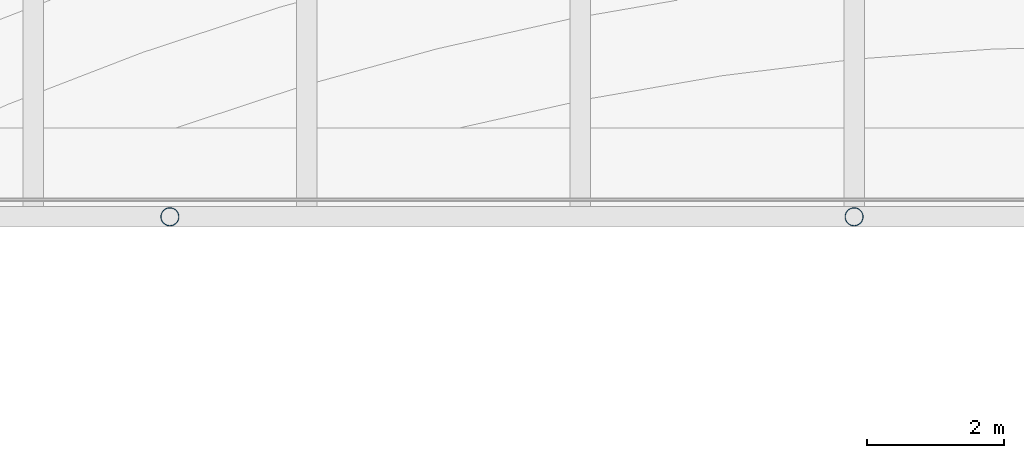
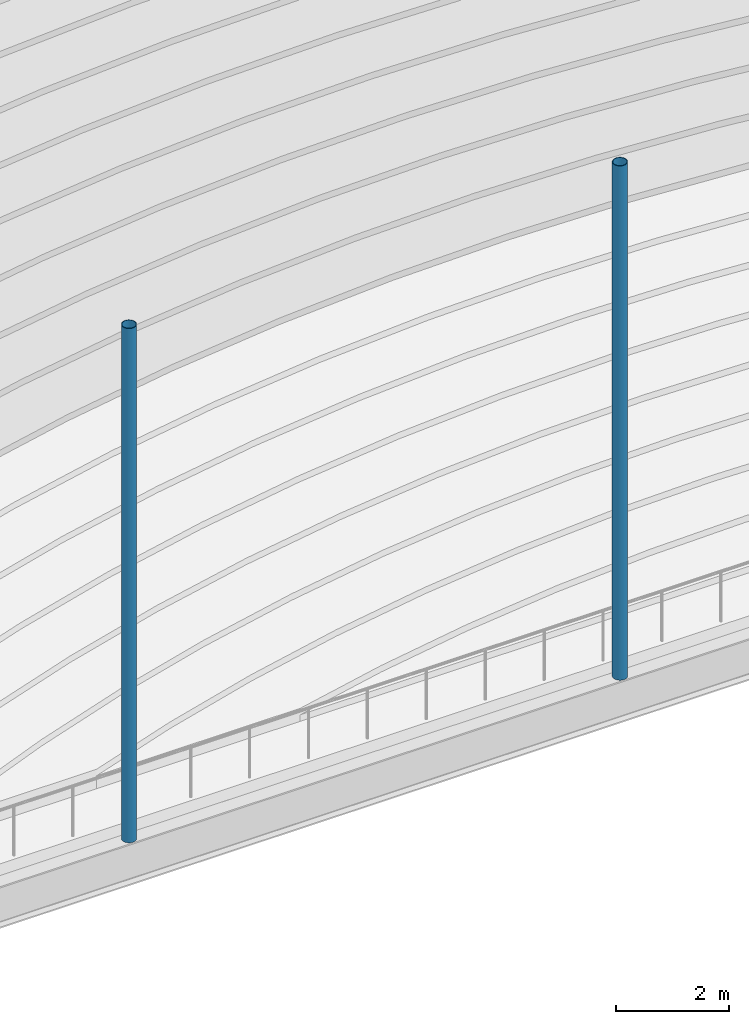
# One storey, part 21 of 72: 2 members.
"""IFC4 building model written with IfcOpenShell, lengths in metres."""

import ifcopenshell
import ifcopenshell.guid

model = None  # the IFC model being written
_history = None  # IfcOwnerHistory: only IFC2X3 demands one
_inside = {}  # id of a spatial element -> (the spatial element, [elements in it])
_under = {}  # id of a project, library or spatial element -> (it, [spatial elements below it])
_declared = {}  # id of a project -> (the project, [libraries it declares])
_typed = {}  # id of a type object -> (the type object, [elements of that type])
_made_of = {}  # id of a material, layer set ... -> (it, [elements and type objects made of it])


def new_model(schema):
    """Start an empty IFC model of exactly this schema.

    Asked for "IFC4X3", IfcOpenShell would pick the latest addendum, in which some entities
    have other attributes; the version numbers below select the first issue.
    IFC2X3 requires an IfcOwnerHistory on every rooted entity: one is made here for all.
    """
    global model, _history
    if schema == "IFC4X3":
        model = ifcopenshell.file(schema_version=(4, 3, 0, 0))
    else:
        model = ifcopenshell.file(schema=schema)
    _inside.clear()
    _under.clear()
    _declared.clear()
    _typed.clear()
    _made_of.clear()
    _history = None
    if model.schema == "IFC2X3":
        org = make("IfcOrganization", Name="unknown")
        user = make(
            "IfcPersonAndOrganization",
            ThePerson=make("IfcPerson", FamilyName="unknown"),
            TheOrganization=org,
        )
        app = make(
            "IfcApplication",
            ApplicationDeveloper=org,
            Version="unknown",
            ApplicationFullName="unknown",
            ApplicationIdentifier="unknown",
        )
        _history = make(
            "IfcOwnerHistory",
            OwningUser=user,
            OwningApplication=app,
            ChangeAction="ADDED",
            CreationDate=0,
        )
    return model


def make(cls, **values):
    """One entity of the class cls with the attributes given. An attribute that is None is left unset."""
    return model.create_entity(
        cls, **{name: value for name, value in values.items() if value is not None}
    )


def rooted(cls, **values):
    """An entity with a GlobalId (a new one), such as an element, a storey or a relation."""
    return make(cls, GlobalId=ifcopenshell.guid.new(), OwnerHistory=_history, **values)


def si_unit(unit_type, name, prefix=None):
    """IfcSIUnit, for example si_unit("LENGTHUNIT", "METRE", prefix="MILLI")."""
    return make("IfcSIUnit", UnitType=unit_type, Prefix=prefix, Name=name)


def assignment(units):
    """IfcUnitAssignment: the units of a project."""
    return None if units is None else make("IfcUnitAssignment", Units=units)


def point(xyz):
    """IfcCartesianPoint."""
    return None if xyz is None else make("IfcCartesianPoint", Coordinates=xyz)


def direction(xyz):
    """IfcDirection."""
    return None if xyz is None else make("IfcDirection", DirectionRatios=xyz)


def frame(location, z_axis=None, x_axis=None):
    """IfcAxis2Placement3D, a coordinate frame: its origin and axes. An axis left out is left unset."""
    return make(
        "IfcAxis2Placement3D",
        Location=point(location),
        Axis=direction(z_axis),
        RefDirection=direction(x_axis),
    )


def frame_2d(location, x_axis=None):
    """IfcAxis2Placement2D, a coordinate frame in the plane: its origin and x axis."""
    return make(
        "IfcAxis2Placement2D", Location=point(location), RefDirection=direction(x_axis)
    )


def origin():
    """The frame at (0, 0, 0) with its axes left unset."""
    return frame((0.0, 0.0, 0.0))


def origin_2d():
    """The frame at (0, 0) in the plane with its x axis left unset."""
    return frame_2d((0.0, 0.0))


def place(relative_to, where):
    """IfcLocalPlacement: puts the frame where relative to a parent placement (None: the world)."""
    return make(
        "IfcLocalPlacement", PlacementRelTo=relative_to, RelativePlacement=where
    )


def context(
    kind, dimensions, precision=None, world=None, true_north=None, identifier=None
):
    """IfcGeometricRepresentationContext, for example the 3D "Model" context."""
    return make(
        "IfcGeometricRepresentationContext",
        ContextIdentifier=identifier,
        ContextType=kind,
        CoordinateSpaceDimension=dimensions,
        Precision=precision,
        WorldCoordinateSystem=world,
        TrueNorth=true_north,
    )


def subcontext(parent, identifier, kind, view, scale=None):
    """IfcGeometricRepresentationSubContext, for example "Body" below "Model"."""
    return make(
        "IfcGeometricRepresentationSubContext",
        ContextIdentifier=identifier,
        ContextType=kind,
        ParentContext=parent,
        TargetScale=scale,
        TargetView=view,
    )


def project(units=None, contexts=None):
    """IfcProject with its units and contexts."""
    return rooted(
        "IfcProject",
        Name="project",
        RepresentationContexts=contexts,
        UnitsInContext=assignment(units),
    )


def spatial(cls, under=None, at=None, **own):
    """A site, building, storey or space (cls), placed at a placement, below another one or the project."""
    s = rooted(cls, ObjectPlacement=at, **own)
    if under is not None:
        _under.setdefault(under.id(), (under, []))[1].append(s)
    return s


def profile(cls, at=None, kind="AREA", **sizes):
    """A parametric profile (cls). Its sizes go by their IFC names, for example OverallWidth=200.0."""
    return make(cls, ProfileType=kind, Position=at, **sizes)


def hollow_circle(**sizes):
    """IfcCircleHollowProfileDef."""
    return profile("IfcCircleHollowProfileDef", **sizes)


def extrude(swept, where, along, depth):
    """IfcExtrudedAreaSolid: the profile swept, set in the frame where, extruded along a direction by depth."""
    return make(
        "IfcExtrudedAreaSolid",
        SweptArea=swept,
        Position=where,
        ExtrudedDirection=direction(along),
        Depth=depth,
    )


def shape(context_of_items, identifier, shape_type, items):
    """IfcShapeRepresentation: the items that make up one representation, for example the "Body"."""
    return make(
        "IfcShapeRepresentation",
        ContextOfItems=context_of_items,
        RepresentationIdentifier=identifier,
        RepresentationType=shape_type,
        Items=items,
    )


def material(Name=None, Category=None):
    """IfcMaterial."""
    return make("IfcMaterial", Name=Name, Category=Category)


def material_profile(
    of_material, cross_section, Name=None, Category=None, Priority=None
):
    """IfcMaterialProfile: a cross section and its material."""
    return make(
        "IfcMaterialProfile",
        Name=Name,
        Material=of_material,
        Profile=cross_section,
        Priority=Priority,
        Category=Category,
    )


def profile_set(profiles, Name=None, composite=None):
    """IfcMaterialProfileSet."""
    return make(
        "IfcMaterialProfileSet",
        Name=Name,
        MaterialProfiles=profiles,
        CompositeProfile=composite,
    )


def made_of(thing, what):
    """Note that an element or type object is made of a material, layer set ...; save() writes the relation."""
    if what is not None:
        _made_of.setdefault(what.id(), (what, []))[1].append(thing)
    return thing


def type_object(cls, material=None, **own):
    """A type object (cls), such as IfcWallType, which elements share."""
    return made_of(rooted(cls, **own), material)


def element(
    cls,
    number,
    at=None,
    inside=None,
    cuts=None,
    type_object=None,
    material=None,
    context=None,
    identifier="Body",
    shape_type=None,
    held_by="IfcProductDefinitionShape",
    body=None,
    shapes=None,
    **own,
):
    """One element of the class cls, such as IfcWall. Its Tag is "e" and its number.

    at: its placement. inside: the storey or other place that contains it. cuts: it is an
    opening in that element (IfcRelVoidsElement). A single representation is given by context,
    identifier, shape_type and body (its items); several are given by shapes. held_by: the class
    of the entity that holds the representations. save() writes the other relations.
    """
    e = rooted(cls, Tag="e%d" % number, ObjectPlacement=at, **own)
    if body is not None:
        shapes = [shape(context, identifier, shape_type, body)]
    if shapes is not None:
        e.Representation = make(held_by, Representations=shapes)
    if inside is not None:
        _inside.setdefault(inside.id(), (inside, []))[1].append(e)
    if cuts is not None:
        rooted(
            "IfcRelVoidsElement", RelatingBuildingElement=cuts, RelatedOpeningElement=e
        )
    if type_object is not None:
        _typed.setdefault(type_object.id(), (type_object, []))[1].append(e)
    return made_of(e, material)


def aggregate(whole, parts):
    """IfcRelAggregates: a whole, such as a stair, and the parts it consists of."""
    return rooted("IfcRelAggregates", RelatingObject=whole, RelatedObjects=parts)


def save(model, path):
    """Write the relations noted so far, then the file.

    IfcRelAggregates (storeys below a building ...), IfcRelContainedInSpatialStructure (elements
    in a storey), IfcRelDefinesByType, IfcRelAssociatesMaterial and IfcRelDeclares: one each for
    every whole, place, type object, material and project.
    """
    for whole, parts in _under.values():
        aggregate(whole, parts)
    for where, things in _inside.values():
        rooted(
            "IfcRelContainedInSpatialStructure",
            RelatedElements=things,
            RelatingStructure=where,
        )
    for kind, things in _typed.values():
        rooted("IfcRelDefinesByType", RelatedObjects=things, RelatingType=kind)
    for what, things in _made_of.values():
        rooted("IfcRelAssociatesMaterial", RelatedObjects=things, RelatingMaterial=what)
    for by, libraries in _declared.values():
        rooted("IfcRelDeclares", RelatingContext=by, RelatedDefinitions=libraries)
    model.write(path)


model = new_model("IFC4")

# Units and contexts
model_context = context("Model", 3, precision=1e-05, world=origin(), true_north=direction((0.0, 1.0)))
body_context = subcontext(model_context, "Body", "Model", "MODEL_VIEW")
ifc_project = project(units=[si_unit("LENGTHUNIT", "METRE"), si_unit("AREAUNIT", "SQUARE_METRE"), si_unit("VOLUMEUNIT", "CUBIC_METRE"), si_unit("PLANEANGLEUNIT", "RADIAN"), si_unit("MASSUNIT", "GRAM", prefix="KILO")], contexts=[model_context])

# Site, building, storey
site_placement = place(None, origin())
site = spatial("IfcSite", under=ifc_project, at=site_placement, CompositionType="ELEMENT")
building_placement = place(site_placement, origin())
building = spatial("IfcBuilding", under=site, at=building_placement, Name="Lilac Gate Convention Centre", CompositionType="ELEMENT")
storey_placement = place(building_placement, frame((0.0, 0.0, 6.0)))
storey = spatial("IfcBuildingStorey", under=building, at=storey_placement, Name="L01", CompositionType="ELEMENT", Elevation=6.0)

# Members
ifc_material = material(Name="Steel Q355B", Category="steel")
ifc_material_profile = material_profile(ifc_material, hollow_circle(Radius=0.136474609375, WallThickness=0.011962890625, at=origin_2d()), Name="CHS273x12")
ifc_profile_set = profile_set([ifc_material_profile], Name="Steel Q355B")
member_type = type_object("IfcMemberType", Name="Balcony hanger CHS273x12", PredefinedType="STRUT", material=ifc_profile_set)
for number, where, z_axis, x_axis, name in (
    (1, (40.0, 137.85009765625, -0.25), (0.0, 0.0, 1.0), (1.0, 0.0, 0.0), "HG1 L01 balcony hanger 1"),
    (2, (50.0, 137.85009765625, -0.25), (0.0, 0.0, 1.0), (1.0, 0.0, 0.0), "HG1 L01 balcony hanger 2"),
):
    element("IfcMember", number, at=place(storey_placement, frame(where, z_axis=z_axis, x_axis=x_axis)), inside=storey, type_object=member_type, Name=name, PredefinedType="STRUT", context=body_context, shape_type="SweptSolid", body=[
        extrude(hollow_circle(Radius=0.136474609375, WallThickness=0.011962890625, at=origin_2d()), origin(), (0.0, 0.0, 1.0), 11.074951171875),
    ])

save(model, "model.ifc")
